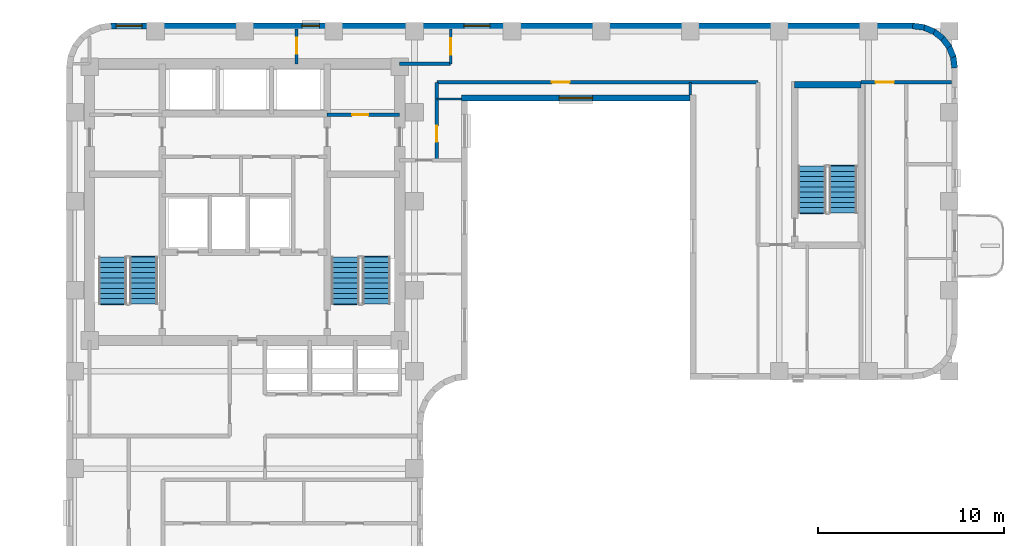
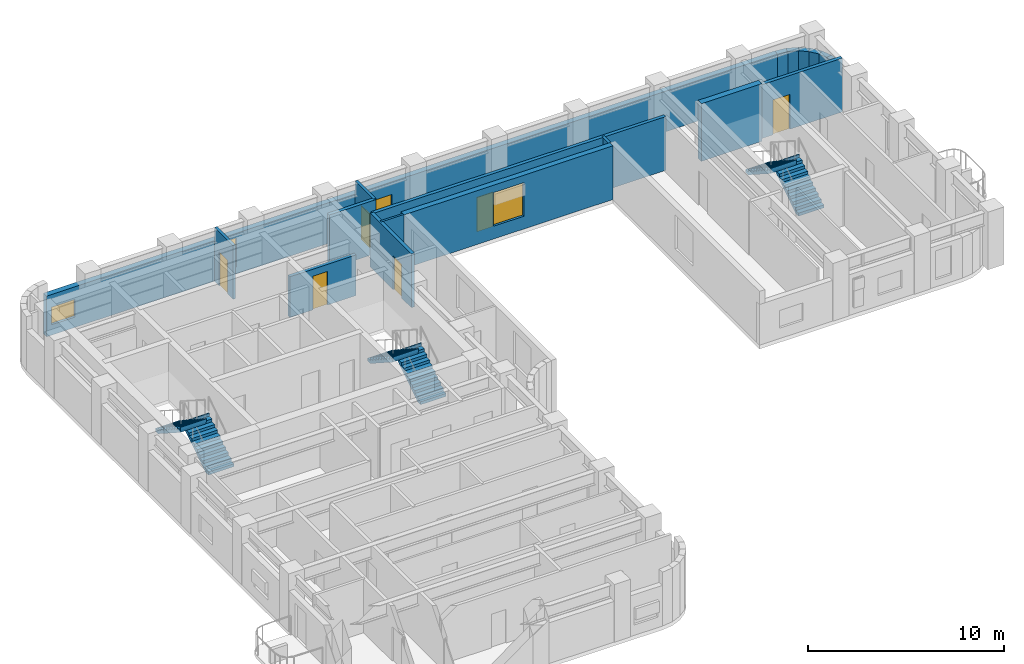
# One storey, part 6 of 9: 18 walls, 6 doors, 6 stair flights, 4 windows, 10 openings, 3 elements without a shape of their own.
"""IFC4 building model written with IfcOpenShell, lengths in metres."""

from ifc_helpers import new_model, si_unit, direction, frame, frame_2d, origin, place, context, subcontext, project, spatial, polyline, rectangle, outline, extrude, material, layer, layer_set, type_object, element, fill, aggregate, save


model = new_model("IFC4")

# Units and contexts
model_context = context("Model", 3, precision=1e-05, world=origin(), true_north=direction((0.0, 1.0)))
body_context = subcontext(model_context, "Body", "Model", "MODEL_VIEW")
ifc_project = project(units=[si_unit("LENGTHUNIT", "METRE"), si_unit("AREAUNIT", "SQUARE_METRE"), si_unit("VOLUMEUNIT", "CUBIC_METRE"), si_unit("PLANEANGLEUNIT", "RADIAN"), si_unit("MASSUNIT", "GRAM", prefix="KILO")], contexts=[model_context])

# Site, building, storey
site_placement = place(None, origin())
site = spatial("IfcSite", under=ifc_project, at=site_placement, CompositionType="ELEMENT")
building_placement = place(site_placement, origin())
building = spatial("IfcBuilding", under=site, at=building_placement, Name="Orvandelia Arch Residences", CompositionType="ELEMENT")
storey_placement = place(building_placement, frame((0.0, 0.0, 186.39990234375)))
storey = spatial("IfcBuildingStorey", under=building, at=storey_placement, Name="L49", CompositionType="ELEMENT", Elevation=186.39990234375)

# Walls
ifc_material_1 = material(Name="Concrete C50/60", Category="concrete")
ifc_layer_1 = layer(ifc_material_1, 0.35009765625, Name="Concrete C50/60", Category="concrete")
ifc_layer_set_1 = layer_set([ifc_layer_1], Name="Concrete C50/60")
wall_type_1 = type_object("IfcWallType", Name="WL-CORE-350", PredefinedType="SHEAR", material=ifc_layer_set_1)
wall_1_placement = place(storey_placement, frame((44.02001953125, 44.659912109375, 0.0), z_axis=(0.0, 0.0, 1.0), x_axis=(1.0, 0.0, 0.0)))
element("IfcWall", 1, at=wall_1_placement, inside=storey, type_object=wall_type_1, Name="East Stair Core Shear Wall L49-N", PredefinedType="SHEAR", context=body_context, shape_type="SweptSolid", body=[
    extrude(rectangle(XDim=3.580078125, YDim=0.35009765625, at=frame_2d((1.7900390625, 0.0))), origin(), (0.0, 0.0, 1.0), 3.60009765625),
])
ifc_material_2 = material(Name="Fire-Rated Corridor Partition")
ifc_layer_2 = layer(ifc_material_2, 0.199951171875, Name="Fire-Rated Corridor Partition")
ifc_layer_set_2 = layer_set([ifc_layer_2], Name="Fire-Rated Corridor Partition")
wall_type_2 = type_object("IfcWallType", Name="WL-CORR-200", PredefinedType="PARTITIONING", material=ifc_layer_set_2)
wall_2_placement = place(storey_placement, frame((22.75, 45.800048828125, 0.0), z_axis=(0.0, 0.0, 1.0), x_axis=(1.0, 0.0, 0.0)))
element("IfcWall", 2, at=wall_2_placement, inside=storey, type_object=wall_type_2, Name="Interior Partition Wall WL-L49-NCE-S", PredefinedType="PARTITIONING", context=body_context, shape_type="SweptSolid", body=[
    extrude(rectangle(XDim=2.75, YDim=0.199951171875, at=frame_2d((1.375, 0.0))), origin(), (0.0, 0.0, 1.0), 3.360107421875),
])

# Wall, opening, door
wall_3_placement = place(storey_placement, frame((24.75, 44.800048828125, 0.0), z_axis=(0.0, 0.0, 1.0), x_axis=(1.0, 0.0, 0.0)))
wall_3 = element("IfcWall", 3, at=wall_3_placement, inside=storey, type_object=wall_type_2, Name="Interior Partition Wall WL-L49-ENP-S1", PredefinedType="PARTITIONING", context=body_context, shape_type="SweptSolid", body=[
    extrude(rectangle(XDim=17.300048828125, YDim=0.199951171875, at=frame_2d((8.64990234375, 0.0))), origin(), (0.0, 0.0, 1.0), 3.360107421875),
])
opening_1_placement = place(wall_3_placement, frame((6.199951171875, 0.0, 0.0)))
opening_1 = element("IfcOpeningElement", 4, at=opening_1_placement, cuts=wall_3, Name="Opening D2", PredefinedType="OPENING", context=body_context, shape_type="SweptSolid", body=[
    extrude(rectangle(XDim=0.949951171875, YDim=2.14990234375, at=frame_2d((0.47509765625, 1.074951171875))), frame((0.0, 0.10986328125, 0.0), z_axis=(0.0, -1.0, 0.0), x_axis=(1.0, 0.0, 0.0)), (0.0, 0.0, 1.0), 0.219970703125),
])
ifc_material_3 = material(Name="Solid-Core Timber Interior Fire Door", Category="wood")
door_type_1 = type_object("IfcDoorType", Name="DR-APT-950", OperationType="NOTDEFINED", PredefinedType="DOOR", material=ifc_material_3)
door_1_placement = place(opening_1_placement, origin())
door_1 = element("IfcDoor", 5, at=door_1_placement, inside=storey, type_object=door_type_1, Name="DR-L49-VPBRG", OperationType="SINGLE_SWING_LEFT", OverallHeight=2.14990234375, OverallWidth=0.949951171875, PredefinedType="DOOR", context=body_context, shape_type="SweptSolid", body=[
    extrude(rectangle(XDim=0.949951171875, YDim=2.14990234375, at=frame_2d((0.47509765625, 1.074951171875))), frame((0.0, 0.02490234375, 0.0), z_axis=(0.0, -1.0, 0.0), x_axis=(1.0, 0.0, 0.0)), (0.0, 0.0, 1.0), 0.050048828125),
])
fill(opening_1, door_1)

wall_4_placement = place(storey_placement, frame((47.60009765625, 44.800048828125, 0.0), z_axis=(0.0, 0.0, 1.0), x_axis=(1.0, 0.0, 0.0)))
wall_4 = element("IfcWall", 6, at=wall_4_placement, inside=storey, type_object=wall_type_2, Name="Interior Partition Wall WL-L49-ENP-S2", PredefinedType="PARTITIONING", context=body_context, shape_type="SweptSolid", body=[
    extrude(rectangle(XDim=4.8798828125, YDim=0.199951171875, at=frame_2d((2.43994140625, 0.0))), origin(), (0.0, 0.0, 1.0), 3.360107421875),
])
opening_2_placement = place(wall_4_placement, frame((0.79150390625, 0.0, 0.0)))
opening_2 = element("IfcOpeningElement", 7, at=opening_2_placement, cuts=wall_4, Name="Opening D1", PredefinedType="OPENING", context=body_context, shape_type="SweptSolid", body=[
    extrude(rectangle(XDim=0.97998046875, YDim=2.179931640625, at=frame_2d((0.489990234375, 1.08984375))), frame((0.0, 0.10986328125, 0.0), z_axis=(0.0, -1.0, 0.0), x_axis=(1.0, 0.0, 0.0)), (0.0, 0.0, 1.0), 0.219970703125),
])
ifc_material_4 = material(Name="Solid-Core Timber Acoustic Fire Door", Category="wood")
door_type_2 = type_object("IfcDoorType", Name="DR-ENT-980", OperationType="NOTDEFINED", PredefinedType="DOOR", material=ifc_material_4)
door_2_placement = place(opening_2_placement, origin())
door_2 = element("IfcDoor", 8, at=door_2_placement, inside=storey, type_object=door_type_2, Name="Unit L49-03 Entrance Door", OperationType="SINGLE_SWING_LEFT", OverallHeight=2.179931640625, OverallWidth=0.97998046875, PredefinedType="DOOR", context=body_context, shape_type="SweptSolid", body=[
    extrude(rectangle(XDim=0.97998046875, YDim=2.179931640625, at=frame_2d((0.489990234375, 1.08984375))), frame((0.0, 0.02490234375, 0.0), z_axis=(0.0, -1.0, 0.0), x_axis=(1.0, 0.0, 0.0)), (0.0, 0.0, 1.0), 0.050048828125),
])
fill(opening_2, door_2)

wall_5_placement = place(storey_placement, frame((24.75, 40.60009765625, 0.0), z_axis=(0.0, 0.0, 1.0), x_axis=(0.0, 1.0, 0.0)))
wall_5 = element("IfcWall", 9, at=wall_5_placement, inside=storey, type_object=wall_type_2, Name="Interior Partition Wall WL-L49-ENP-LW", PredefinedType="PARTITIONING", context=body_context, shape_type="SweptSolid", body=[
    extrude(rectangle(XDim=4.199951171875, YDim=0.199951171875, at=frame_2d((2.10009765625, 0.0))), origin(), (0.0, 0.0, 1.0), 3.360107421875),
])
opening_3_placement = place(wall_5_placement, frame((1.0, 0.0, 0.0)))
opening_3 = element("IfcOpeningElement", 10, at=opening_3_placement, cuts=wall_5, Name="Opening D4", PredefinedType="OPENING", context=body_context, shape_type="SweptSolid", body=[
    extrude(rectangle(XDim=0.860107421875, YDim=2.10009765625, at=frame_2d((0.43017578125, 1.050048828125))), frame((0.0, 0.10986328125, 0.0), z_axis=(0.0, -1.0, 0.0), x_axis=(1.0, 0.0, 0.0)), (0.0, 0.0, 1.0), 0.219970703125),
])
ifc_material_5 = material(Name="Moisture-Sealed Timber Bathroom Door", Category="wood")
door_type_3 = type_object("IfcDoorType", Name="DR-WET-900", OperationType="NOTDEFINED", PredefinedType="DOOR", material=ifc_material_5)
door_3_placement = place(opening_3_placement, origin())
door_3 = element("IfcDoor", 11, at=door_3_placement, inside=storey, type_object=door_type_3, Name="DR-L49-VPWNK", OperationType="SINGLE_SWING_RIGHT", OverallHeight=2.10009765625, OverallWidth=0.860107421875, PredefinedType="DOOR", context=body_context, shape_type="SweptSolid", body=[
    extrude(rectangle(XDim=0.860107421875, YDim=2.10009765625, at=frame_2d((0.43017578125, 1.050048828125))), frame((0.0, 0.02490234375, 0.0), z_axis=(0.0, -1.0, 0.0), x_axis=(1.0, 0.0, 0.0)), (0.0, 0.0, 1.0), 0.050048828125),
])
fill(opening_3, door_3)

# Wall, openings, windows
ifc_material_6 = material(Name="Precast concrete C40/50", Category="concrete")
ifc_layer_3 = layer(ifc_material_6, 0.320068359375, Name="Precast concrete C40/50", Category="concrete")
ifc_layer_set_3 = layer_set([ifc_layer_3], Name="Precast concrete C40/50")
wall_type_3 = type_object("IfcWallType", Name="WL-EXT-STONE-320", PredefinedType="STANDARD", material=ifc_layer_set_3)
wall_6_placement = place(storey_placement, frame((7.199951171875, 47.840087890625, 0.0), z_axis=(0.0, 0.0, 1.0), x_axis=(1.0, 0.0, 0.0)))
wall_6 = element("IfcWall", 12, at=wall_6_placement, inside=storey, type_object=wall_type_3, Name="Coral-Limestone Precast Facade Wall L49-007", PredefinedType="STANDARD", context=body_context, shape_type="SweptSolid", body=[
    extrude(rectangle(XDim=43.199951171875, YDim=0.320068359375, at=frame_2d((21.60009765625, 0.0))), origin(), (0.0, 0.0, 1.0), 2.5400390625),
])
opening_4_placement = place(wall_6_placement, frame((19.00244140625, 0.0, 0.64990234375)))
opening_4 = element("IfcOpeningElement", 13, at=opening_4_placement, cuts=wall_6, Name="Opening W10", PredefinedType="OPENING", context=body_context, shape_type="SweptSolid", body=[
    extrude(rectangle(XDim=1.39990234375, YDim=1.10009765625, at=frame_2d((0.699951171875, 0.550048828125))), frame((0.0, 0.169921875, 0.0), z_axis=(0.0, -1.0, 0.0), x_axis=(1.0, 0.0, 0.0)), (0.0, 0.0, 1.0), 0.340087890625),
])
opening_5_placement = place(wall_6_placement, frame((0.282470703125, 0.0, 0.64990234375)))
opening_5 = element("IfcOpeningElement", 14, at=opening_5_placement, cuts=wall_6, Name="Opening W10", PredefinedType="OPENING", context=body_context, shape_type="SweptSolid", body=[
    extrude(rectangle(XDim=1.39990234375, YDim=1.10009765625, at=frame_2d((0.699951171875, 0.550048828125))), frame((0.0, 0.169921875, 0.0), z_axis=(0.0, -1.0, 0.0), x_axis=(1.0, 0.0, 0.0)), (0.0, 0.0, 1.0), 0.340087890625),
])
opening_6_placement = place(wall_6_placement, frame((10.277587890625, 0.0, 0.449951171875)))
opening_6 = element("IfcOpeningElement", 15, at=opening_6_placement, cuts=wall_6, Name="Opening W4", PredefinedType="OPENING", context=body_context, shape_type="SweptSolid", body=[
    extrude(rectangle(XDim=0.949951171875, YDim=1.800048828125, at=frame_2d((0.47509765625, 0.89990234375))), frame((0.0, 0.169921875, 0.0), z_axis=(0.0, -1.0, 0.0), x_axis=(1.0, 0.0, 0.0)), (0.0, 0.0, 1.0), 0.340087890625),
])
ifc_material_7 = material(Name="Tempered Low-E Insulated Glazing", Category="glass")
window_type_1 = type_object("IfcWindowType", Name="WIN-CLR-1400x1100", PartitioningType="SINGLE_PANEL", PredefinedType="WINDOW", material=ifc_material_7)
window_1_placement = place(opening_4_placement, origin())
window_1 = element("IfcWindow", 16, at=window_1_placement, inside=storey, type_object=window_type_1, Name="Recessed Punched Window L49-001", OverallHeight=1.10009765625, OverallWidth=1.39990234375, PartitioningType="SINGLE_PANEL", PredefinedType="WINDOW", context=body_context, shape_type="SweptSolid", body=[
    extrude(rectangle(XDim=1.39990234375, YDim=1.10009765625, at=frame_2d((0.699951171875, 0.550048828125))), frame((0.0, 0.030029296875, 0.0), z_axis=(0.0, -1.0, 0.0), x_axis=(1.0, 0.0, 0.0)), (0.0, 0.0, 1.0), 0.06005859375),
])
fill(opening_4, window_1)
window_2_placement = place(opening_5_placement, origin())
window_2 = element("IfcWindow", 17, at=window_2_placement, inside=storey, type_object=window_type_1, Name="Recessed Punched Window L49-002", OverallHeight=1.10009765625, OverallWidth=1.39990234375, PartitioningType="SINGLE_PANEL", PredefinedType="WINDOW", context=body_context, shape_type="SweptSolid", body=[
    extrude(rectangle(XDim=1.39990234375, YDim=1.10009765625, at=frame_2d((0.699951171875, 0.550048828125))), frame((0.0, 0.030029296875, 0.0), z_axis=(0.0, -1.0, 0.0), x_axis=(1.0, 0.0, 0.0)), (0.0, 0.0, 1.0), 0.06005859375),
])
fill(opening_5, window_2)
window_type_2 = type_object("IfcWindowType", Name="WIN-RES-0950x1800", PartitioningType="SINGLE_PANEL", PredefinedType="WINDOW", material=ifc_material_7)
window_3_placement = place(opening_6_placement, origin())
window_3 = element("IfcWindow", 18, at=window_3_placement, inside=storey, type_object=window_type_2, Name="Recessed Punched Window L49-003", OverallHeight=1.800048828125, OverallWidth=0.949951171875, PartitioningType="SINGLE_PANEL", PredefinedType="WINDOW", context=body_context, shape_type="SweptSolid", body=[
    extrude(rectangle(XDim=0.949951171875, YDim=1.800048828125, at=frame_2d((0.47509765625, 0.89990234375))), frame((0.0, 0.030029296875, 0.0), z_axis=(0.0, -1.0, 0.0), x_axis=(1.0, 0.0, 0.0)), (0.0, 0.0, 1.0), 0.06005859375),
])
fill(opening_6, window_3)

# Walls
for number, where, z_axis, x_axis, name in (
    (19, (50.379150390625, 47.84130859375, 0.0), (0.0, 0.0, 1.0), (0.9914410257, -0.130555323746, 0.0), "Coral-Limestone Precast Facade Wall L49-008"),
    (20, (50.9599609375, 47.7705078125, 0.0), (0.0, 0.0, 1.0), (0.92389335771, -0.382650053678, 0.0), "Coral-Limestone Precast Facade Wall L49-009"),
    (21, (51.502685546875, 47.551513671875, 0.0), (0.0, 0.0, 1.0), (0.793405610854, -0.608693302629, 0.0), "Coral-Limestone Precast Facade Wall L49-010"),
    (22, (51.97021484375, 47.19970703125, 0.0), (0.0, 0.0, 1.0), (0.608693302629, -0.793405610854, 0.0), "Coral-Limestone Precast Facade Wall L49-011"),
    (23, (52.330810546875, 46.73876953125, 0.0), (0.0, 0.0, 1.0), (0.382317370307, -0.924031075431, 0.0), "Coral-Limestone Precast Facade Wall L49-012"),
    (24, (52.5595703125, 46.2001953125, 0.0), (0.0, 0.0, 1.0), (0.130555323746, -0.9914410257, 0.0), "Coral-Limestone Precast Facade Wall L49-013"),
):
    element("IfcWall", number, at=place(storey_placement, frame(where, z_axis=z_axis, x_axis=x_axis)), inside=storey, type_object=wall_type_3, Name=name, PredefinedType="STANDARD", context=body_context, shape_type="SweptSolid", body=[
        extrude(rectangle(XDim=0.62646484375, YDim=0.320068359375, at=frame_2d((0.313232421875, 0.0))), origin(), (0.0, 0.0, 1.0), 2.5400390625),
    ])

# Wall, opening, window
wall_7_placement = place(storey_placement, frame((38.39990234375, 43.9599609375, 0.0), z_axis=(0.0, 0.0, 1.0), x_axis=(-1.0, 0.0, 0.0)))
wall_7 = element("IfcWall", 25, at=wall_7_placement, inside=storey, type_object=wall_type_3, Name="Coral-Limestone Precast Facade Wall L49-023", PredefinedType="STANDARD", context=body_context, shape_type="SweptSolid", body=[
    extrude(rectangle(XDim=12.31982421875, YDim=0.320068359375, at=frame_2d((6.159912109375, 0.0))), origin(), (0.0, 0.0, 1.0), 3.360107421875),
])
opening_7_placement = place(wall_7_placement, frame((5.260009765625, 0.0, 0.800048828125)))
opening_7 = element("IfcOpeningElement", 26, at=opening_7_placement, cuts=wall_7, Name="Opening W1", PredefinedType="OPENING", context=body_context, shape_type="SweptSolid", body=[
    extrude(rectangle(XDim=1.800048828125, YDim=2.10009765625, at=frame_2d((0.89990234375, 1.050048828125))), frame((0.0, 0.169921875, 0.0), z_axis=(0.0, -1.0, 0.0), x_axis=(1.0, 0.0, 0.0)), (0.0, 0.0, 1.0), 0.340087890625),
])
window_type_3 = type_object("IfcWindowType", Name="WIN-RES-1800x2100", PartitioningType="SINGLE_PANEL", PredefinedType="WINDOW", material=ifc_material_7)
window_4_placement = place(opening_7_placement, origin())
window_4 = element("IfcWindow", 27, at=window_4_placement, inside=storey, type_object=window_type_3, Name="Recessed Punched Window L49-012", OverallHeight=2.10009765625, OverallWidth=1.800048828125, PartitioningType="SINGLE_PANEL", PredefinedType="WINDOW", context=body_context, shape_type="SweptSolid", body=[
    extrude(rectangle(XDim=1.800048828125, YDim=2.10009765625, at=frame_2d((0.89990234375, 1.050048828125))), frame((0.0, 0.030029296875, 0.0), z_axis=(0.0, -1.0, 0.0), x_axis=(1.0, 0.0, 0.0)), (0.0, 0.0, 1.0), 0.06005859375),
])
fill(opening_7, window_4)

# Wall
ifc_material_8 = material(Name="Lightweight Gypsum Stud Partition")
ifc_layer_4 = layer(ifc_material_8, 0.1201171875, Name="Lightweight Gypsum Stud Partition")
ifc_layer_set_4 = layer_set([ifc_layer_4], Name="Lightweight Gypsum Stud Partition")
wall_type_4 = type_object("IfcWallType", Name="WL-PART-120", PredefinedType="PARTITIONING", material=ifc_layer_set_4)
wall_8_placement = place(storey_placement, frame((24.75, 43.89990234375, 0.0), z_axis=(0.0, 0.0, 1.0), x_axis=(1.0, 0.0, 0.0)))
element("IfcWall", 28, at=wall_8_placement, inside=storey, type_object=wall_type_4, Name="Interior Partition Wall WL-L49-VPWNK-N", PredefinedType="PARTITIONING", context=body_context, shape_type="SweptSolid", body=[
    extrude(rectangle(XDim=1.330078125, YDim=0.1201171875, at=frame_2d((0.6650390625, 0.0))), origin(), (0.0, 0.0, 1.0), 3.360107421875),
])

# Wall, opening, door
ifc_material_9 = material(Name="Acoustic Gypsum Stud Partition")
ifc_layer_5 = layer(ifc_material_9, 0.14990234375, Name="Acoustic Gypsum Stud Partition")
ifc_layer_set_5 = layer_set([ifc_layer_5], Name="Acoustic Gypsum Stud Partition")
wall_type_5 = type_object("IfcWallType", Name="WL-PART-150", PredefinedType="PARTITIONING", material=ifc_layer_set_5)
wall_9_placement = place(storey_placement, frame((25.5, 45.800048828125, 0.0), z_axis=(0.0, 0.0, 1.0), x_axis=(0.0, 1.0, 0.0)))
wall_9 = element("IfcWall", 29, at=wall_9_placement, inside=storey, type_object=wall_type_5, Name="Interior Partition Wall WL-L49-NCE-W", PredefinedType="PARTITIONING", context=body_context, shape_type="SweptSolid", body=[
    extrude(rectangle(XDim=1.8798828125, YDim=0.14990234375, at=frame_2d((0.93994140625, 0.0))), origin(), (0.0, 0.0, 1.0), 3.360107421875),
])
opening_8_placement = place(wall_9_placement, frame((0.5, 0.0, 0.0)))
opening_8 = element("IfcOpeningElement", 30, at=opening_8_placement, cuts=wall_9, Name="Opening D5", PredefinedType="OPENING", context=body_context, shape_type="SweptSolid", body=[
    extrude(rectangle(XDim=0.8798828125, YDim=2.10009765625, at=frame_2d((0.43994140625, 1.050048828125))), frame((0.0, 0.0849609375, 0.0), z_axis=(0.0, -1.0, 0.0), x_axis=(1.0, 0.0, 0.0)), (0.0, 0.0, 1.0), 0.169921875),
])
ifc_material_10 = material(Name="Painted Galvanised Steel Service Door", Category="steel")
door_type_4 = type_object("IfcDoorType", Name="DR-SRV-880", OperationType="NOTDEFINED", PredefinedType="DOOR", material=ifc_material_10)
door_4_placement = place(opening_8_placement, origin())
door_4 = element("IfcDoor", 31, at=door_4_placement, inside=storey, type_object=door_type_4, Name="DR-L49-NCS2", OperationType="SINGLE_SWING_LEFT", OverallHeight=2.10009765625, OverallWidth=0.8798828125, PredefinedType="DOOR", context=body_context, shape_type="SweptSolid", body=[
    extrude(rectangle(XDim=0.8798828125, YDim=2.10009765625, at=frame_2d((0.43994140625, 1.050048828125))), frame((0.0, 0.02490234375, 0.0), z_axis=(0.0, -1.0, 0.0), x_axis=(1.0, 0.0, 0.0)), (0.0, 0.0, 1.0), 0.050048828125),
])
fill(opening_8, door_4)

wall_10_placement = place(storey_placement, frame((17.199951171875, 45.800048828125, 0.0), z_axis=(0.0, 0.0, 1.0), x_axis=(0.0, 1.0, 0.0)))
wall_10 = element("IfcWall", 32, at=wall_10_placement, inside=storey, type_object=wall_type_5, Name="Interior Partition Wall WL-L49-NC-M", PredefinedType="PARTITIONING", context=body_context, shape_type="SweptSolid", body=[
    extrude(rectangle(XDim=1.8798828125, YDim=0.14990234375, at=frame_2d((0.93994140625, 0.0))), origin(), (0.0, 0.0, 1.0), 3.360107421875),
])
opening_9_placement = place(wall_10_placement, frame((0.550048828125, 0.0, 0.0)))
opening_9 = element("IfcOpeningElement", 33, at=opening_9_placement, cuts=wall_10, Name="Opening D4", PredefinedType="OPENING", context=body_context, shape_type="SweptSolid", body=[
    extrude(rectangle(XDim=0.860107421875, YDim=2.10009765625, at=frame_2d((0.43017578125, 1.050048828125))), frame((0.0, 0.0849609375, 0.0), z_axis=(0.0, -1.0, 0.0), x_axis=(1.0, 0.0, 0.0)), (0.0, 0.0, 1.0), 0.169921875),
])
door_5_placement = place(opening_9_placement, origin())
door_5 = element("IfcDoor", 34, at=door_5_placement, inside=storey, type_object=door_type_3, Name="DR-L49-NCS1", OperationType="SINGLE_SWING_LEFT", OverallHeight=2.10009765625, OverallWidth=0.860107421875, PredefinedType="DOOR", context=body_context, shape_type="SweptSolid", body=[
    extrude(rectangle(XDim=0.860107421875, YDim=2.10009765625, at=frame_2d((0.43017578125, 1.050048828125))), frame((0.0, 0.02490234375, 0.0), z_axis=(0.0, -1.0, 0.0), x_axis=(1.0, 0.0, 0.0)), (0.0, 0.0, 1.0), 0.050048828125),
])
fill(opening_9, door_5)

# Wall
wall_11_placement = place(storey_placement, frame((38.39990234375, 44.1201171875, 0.0), z_axis=(0.0, 0.0, 1.0), x_axis=(0.0, 1.0, 0.0)))
element("IfcWall", 35, at=wall_11_placement, inside=storey, type_object=wall_type_5, Name="Interior Partition Wall WL-L49-VPBRG-E", PredefinedType="PARTITIONING", context=body_context, shape_type="SweptSolid", body=[
    extrude(rectangle(XDim=0.679931640625, YDim=0.14990234375, at=frame_2d((0.33984375, 0.0))), origin(), (0.0, 0.0, 1.0), 3.360107421875),
])

# Wall, opening, door
ifc_material_11 = material(Name="Fire-Rated Shaft Enclosure Wall")
ifc_layer_6 = layer(ifc_material_11, 0.199951171875, Name="Fire-Rated Shaft Enclosure Wall")
ifc_layer_set_6 = layer_set([ifc_layer_6], Name="Fire-Rated Shaft Enclosure Wall")
wall_type_6 = type_object("IfcWallType", Name="WL-SHAFT-200", PredefinedType="POLYGONAL", material=ifc_layer_set_6)
wall_12_placement = place(storey_placement, frame((18.840087890625, 43.050048828125, 0.0), z_axis=(0.0, 0.0, 1.0), x_axis=(1.0, 0.0, 0.0)))
wall_12 = element("IfcWall", 36, at=wall_12_placement, inside=storey, type_object=wall_type_6, Name="Interior Partition Wall WL-L49-HLE-N", PredefinedType="POLYGONAL", context=body_context, shape_type="SweptSolid", body=[
    extrude(rectangle(XDim=3.909912109375, YDim=0.199951171875, at=frame_2d((1.955078125, 0.0))), origin(), (0.0, 0.0, 1.0), 2.5400390625),
])
opening_10_placement = place(wall_12_placement, frame((1.35009765625, 0.0, 0.0)))
opening_10 = element("IfcOpeningElement", 37, at=opening_10_placement, cuts=wall_12, Name="Opening D5", PredefinedType="OPENING", context=body_context, shape_type="SweptSolid", body=[
    extrude(rectangle(XDim=0.8798828125, YDim=2.10009765625, at=frame_2d((0.43994140625, 1.050048828125))), frame((0.0, 0.10986328125, 0.0), z_axis=(0.0, -1.0, 0.0), x_axis=(1.0, 0.0, 0.0)), (0.0, 0.0, 1.0), 0.219970703125),
])
door_6_placement = place(opening_10_placement, origin())
door_6 = element("IfcDoor", 38, at=door_6_placement, inside=storey, type_object=door_type_4, Name="DR-L49-CSB1", OperationType="SINGLE_SWING_LEFT", OverallHeight=2.10009765625, OverallWidth=0.8798828125, PredefinedType="DOOR", context=body_context, shape_type="SweptSolid", body=[
    extrude(rectangle(XDim=0.8798828125, YDim=2.10009765625, at=frame_2d((0.43994140625, 1.050048828125))), frame((0.0, 0.02490234375, 0.0), z_axis=(0.0, -1.0, 0.0), x_axis=(1.0, 0.0, 0.0)), (0.0, 0.0, 1.0), 0.050048828125),
])
fill(opening_10, door_6)

# Stair, stair flights
ifc_material_12 = material(Name="Concrete C40/50", Category="concrete")
stair_type = type_object("IfcStairType", Name="STAIR-RC-DOGLEG", PredefinedType="HALF_TURN_STAIR", material=ifc_material_12)
stair_1_placement = place(storey_placement, origin())
stair_1 = element("IfcStair", 39, at=stair_1_placement, inside=storey, type_object=stair_type, Name="L49 Protected Exit Stair ST-1", PredefinedType="HALF_TURN_STAIR")
stair_flight_type = type_object("IfcStairFlightType", Name="STFLT-RC-1520", PredefinedType="STRAIGHT", material=ifc_material_12)
stair_flight_1_placement = place(storey_placement, frame((8.9599609375, 32.8701171875, 0.0), z_axis=(0.0, 0.0, 1.0), x_axis=(0.0, 1.0, 0.0)))
stair_flight_1 = element("IfcStairFlight", 40, at=stair_flight_1_placement, type_object=stair_flight_type, Name="ST-1 flight 1", NumberOfRisers=10, NumberOfTreads=9, PredefinedType="STRAIGHT", RiserHeight=0.18, TreadLength=0.28, context=body_context, shape_type="SweptSolid", body=[
    extrude(outline(polyline([(0.0, 0.0), (0.0, 0.179931640625), (0.280029296875, 0.179931640625), (0.280029296875, 0.360107421875), (0.56005859375, 0.360107421875), (0.56005859375, 0.5400390625), (0.840087890625, 0.5400390625), (0.840087890625, 0.719970703125), (1.1201171875, 0.719970703125), (1.1201171875, 0.89990234375), (1.39990234375, 0.89990234375), (1.39990234375, 1.080078125), (1.679931640625, 1.080078125), (1.679931640625, 1.260009765625), (1.9599609375, 1.260009765625), (1.9599609375, 1.43994140625), (2.239990234375, 1.43994140625), (2.239990234375, 1.6201171875), (2.52001953125, 1.6201171875), (2.52001953125, 1.800048828125), (2.580078125, 1.800048828125), (2.580078125, 1.6201171875), (2.52001953125, 1.44189453125), (0.277099609375, 0.0), (0.0, 0.0)])), frame((0.0, 0.760009765625, 0.0), z_axis=(0.0, -1.0, 0.0), x_axis=(1.0, 0.0, 0.0)), (0.0, 0.0, 1.0), 1.52001953125),
])
stair_flight_2_placement = place(storey_placement, frame((7.2900390625, 35.389892578125, 1.800048828125), z_axis=(0.0, 0.0, 1.0), x_axis=(0.0, -1.0, 0.0)))
stair_flight_2 = element("IfcStairFlight", 41, at=stair_flight_2_placement, type_object=stair_flight_type, Name="ST-1 flight 2", NumberOfRisers=10, NumberOfTreads=9, PredefinedType="STRAIGHT", RiserHeight=0.18, TreadLength=0.28, context=body_context, shape_type="SweptSolid", body=[
    extrude(outline(polyline([(0.0, 0.0), (0.0, 0.179931640625), (0.280029296875, 0.179931640625), (0.280029296875, 0.360107421875), (0.56005859375, 0.360107421875), (0.56005859375, 0.5400390625), (0.840087890625, 0.5400390625), (0.840087890625, 0.719970703125), (1.1201171875, 0.719970703125), (1.1201171875, 0.89990234375), (1.39990234375, 0.89990234375), (1.39990234375, 1.080078125), (1.679931640625, 1.080078125), (1.679931640625, 1.260009765625), (1.9599609375, 1.260009765625), (1.9599609375, 1.43994140625), (2.239990234375, 1.43994140625), (2.239990234375, 1.6201171875), (2.52001953125, 1.6201171875), (2.52001953125, 1.800048828125), (2.580078125, 1.800048828125), (2.580078125, 1.6201171875), (2.52001953125, 1.44189453125), (0.277099609375, 0.0), (0.0, 0.0)])), frame((0.0, 0.760009765625, 0.0), z_axis=(0.0, -1.0, 0.0), x_axis=(1.0, 0.0, 0.0)), (0.0, 0.0, 1.0), 1.52001953125),
])
aggregate(stair_1, [stair_flight_1, stair_flight_2])

stair_2_placement = place(storey_placement, origin())
stair_2 = element("IfcStair", 42, at=stair_2_placement, inside=storey, type_object=stair_type, Name="L49 Protected Exit Stair ST-2", PredefinedType="HALF_TURN_STAIR")
stair_flight_3_placement = place(storey_placement, frame((21.489990234375, 32.8701171875, 0.0), z_axis=(0.0, 0.0, 1.0), x_axis=(0.0, 1.0, 0.0)))
stair_flight_3 = element("IfcStairFlight", 43, at=stair_flight_3_placement, type_object=stair_flight_type, Name="ST-2 flight 1", NumberOfRisers=10, NumberOfTreads=9, PredefinedType="STRAIGHT", RiserHeight=0.18, TreadLength=0.28, context=body_context, shape_type="SweptSolid", body=[
    extrude(outline(polyline([(0.0, 0.0), (0.0, 0.179931640625), (0.280029296875, 0.179931640625), (0.280029296875, 0.360107421875), (0.56005859375, 0.360107421875), (0.56005859375, 0.5400390625), (0.840087890625, 0.5400390625), (0.840087890625, 0.719970703125), (1.1201171875, 0.719970703125), (1.1201171875, 0.89990234375), (1.39990234375, 0.89990234375), (1.39990234375, 1.080078125), (1.679931640625, 1.080078125), (1.679931640625, 1.260009765625), (1.9599609375, 1.260009765625), (1.9599609375, 1.43994140625), (2.239990234375, 1.43994140625), (2.239990234375, 1.6201171875), (2.52001953125, 1.6201171875), (2.52001953125, 1.800048828125), (2.580078125, 1.800048828125), (2.580078125, 1.6201171875), (2.52001953125, 1.44189453125), (0.277099609375, 0.0), (0.0, 0.0)])), frame((0.0, 0.760009765625, 0.0), z_axis=(0.0, -1.0, 0.0), x_axis=(1.0, 0.0, 0.0)), (0.0, 0.0, 1.0), 1.52001953125),
])
stair_flight_4_placement = place(storey_placement, frame((19.820068359375, 35.389892578125, 1.800048828125), z_axis=(0.0, 0.0, 1.0), x_axis=(0.0, -1.0, 0.0)))
stair_flight_4 = element("IfcStairFlight", 44, at=stair_flight_4_placement, type_object=stair_flight_type, Name="ST-2 flight 2", NumberOfRisers=10, NumberOfTreads=9, PredefinedType="STRAIGHT", RiserHeight=0.18, TreadLength=0.28, context=body_context, shape_type="SweptSolid", body=[
    extrude(outline(polyline([(0.0, 0.0), (0.0, 0.179931640625), (0.280029296875, 0.179931640625), (0.280029296875, 0.360107421875), (0.56005859375, 0.360107421875), (0.56005859375, 0.5400390625), (0.840087890625, 0.5400390625), (0.840087890625, 0.719970703125), (1.1201171875, 0.719970703125), (1.1201171875, 0.89990234375), (1.39990234375, 0.89990234375), (1.39990234375, 1.080078125), (1.679931640625, 1.080078125), (1.679931640625, 1.260009765625), (1.9599609375, 1.260009765625), (1.9599609375, 1.43994140625), (2.239990234375, 1.43994140625), (2.239990234375, 1.6201171875), (2.52001953125, 1.6201171875), (2.52001953125, 1.800048828125), (2.580078125, 1.800048828125), (2.580078125, 1.6201171875), (2.52001953125, 1.44189453125), (0.277099609375, 0.0), (0.0, 0.0)])), frame((0.0, 0.760009765625, 0.0), z_axis=(0.0, -1.0, 0.0), x_axis=(1.0, 0.0, 0.0)), (0.0, 0.0, 1.0), 1.52001953125),
])
aggregate(stair_2, [stair_flight_3, stair_flight_4])

stair_3_placement = place(storey_placement, origin())
stair_3 = element("IfcStair", 45, at=stair_3_placement, inside=storey, type_object=stair_type, Name="L49 East Wing Exit Stair ST-3", PredefinedType="HALF_TURN_STAIR")
stair_flight_5_placement = place(storey_placement, frame((46.639892578125, 37.77001953125, 0.0), z_axis=(0.0, 0.0, 1.0), x_axis=(0.0, 1.0, 0.0)))
stair_flight_5 = element("IfcStairFlight", 46, at=stair_flight_5_placement, type_object=stair_flight_type, Name="ST-3 flight 1", NumberOfRisers=10, NumberOfTreads=9, PredefinedType="STRAIGHT", RiserHeight=0.18, TreadLength=0.28, context=body_context, shape_type="SweptSolid", body=[
    extrude(outline(polyline([(0.0, 0.0), (0.0, 0.179931640625), (0.280029296875, 0.179931640625), (0.280029296875, 0.360107421875), (0.56005859375, 0.360107421875), (0.56005859375, 0.5400390625), (0.840087890625, 0.5400390625), (0.840087890625, 0.719970703125), (1.1201171875, 0.719970703125), (1.1201171875, 0.89990234375), (1.39990234375, 0.89990234375), (1.39990234375, 1.080078125), (1.679931640625, 1.080078125), (1.679931640625, 1.260009765625), (1.9599609375, 1.260009765625), (1.9599609375, 1.43994140625), (2.239990234375, 1.43994140625), (2.239990234375, 1.6201171875), (2.52001953125, 1.6201171875), (2.52001953125, 1.800048828125), (2.580078125, 1.800048828125), (2.580078125, 1.6201171875), (2.52001953125, 1.44189453125), (0.277099609375, 0.0), (0.0, 0.0)])), frame((0.0, 0.760009765625, 0.0), z_axis=(0.0, -1.0, 0.0), x_axis=(1.0, 0.0, 0.0)), (0.0, 0.0, 1.0), 1.52001953125),
])
stair_flight_6_placement = place(storey_placement, frame((44.969970703125, 40.2900390625, 1.800048828125), z_axis=(0.0, 0.0, 1.0), x_axis=(0.0, -1.0, 0.0)))
stair_flight_6 = element("IfcStairFlight", 47, at=stair_flight_6_placement, type_object=stair_flight_type, Name="ST-3 flight 2", NumberOfRisers=10, NumberOfTreads=9, PredefinedType="STRAIGHT", RiserHeight=0.18, TreadLength=0.28, context=body_context, shape_type="SweptSolid", body=[
    extrude(outline(polyline([(0.0, 0.0), (0.0, 0.179931640625), (0.280029296875, 0.179931640625), (0.280029296875, 0.360107421875), (0.56005859375, 0.360107421875), (0.56005859375, 0.5400390625), (0.840087890625, 0.5400390625), (0.840087890625, 0.719970703125), (1.1201171875, 0.719970703125), (1.1201171875, 0.89990234375), (1.39990234375, 0.89990234375), (1.39990234375, 1.080078125), (1.679931640625, 1.080078125), (1.679931640625, 1.260009765625), (1.9599609375, 1.260009765625), (1.9599609375, 1.43994140625), (2.239990234375, 1.43994140625), (2.239990234375, 1.6201171875), (2.52001953125, 1.6201171875), (2.52001953125, 1.800048828125), (2.580078125, 1.800048828125), (2.580078125, 1.6201171875), (2.52001953125, 1.44189453125), (0.277099609375, 0.0), (0.0, 0.0)])), frame((0.0, 0.760009765625, 0.0), z_axis=(0.0, -1.0, 0.0), x_axis=(1.0, 0.0, 0.0)), (0.0, 0.0, 1.0), 1.52001953125),
])
aggregate(stair_3, [stair_flight_5, stair_flight_6])

save(model, "model.ifc")
